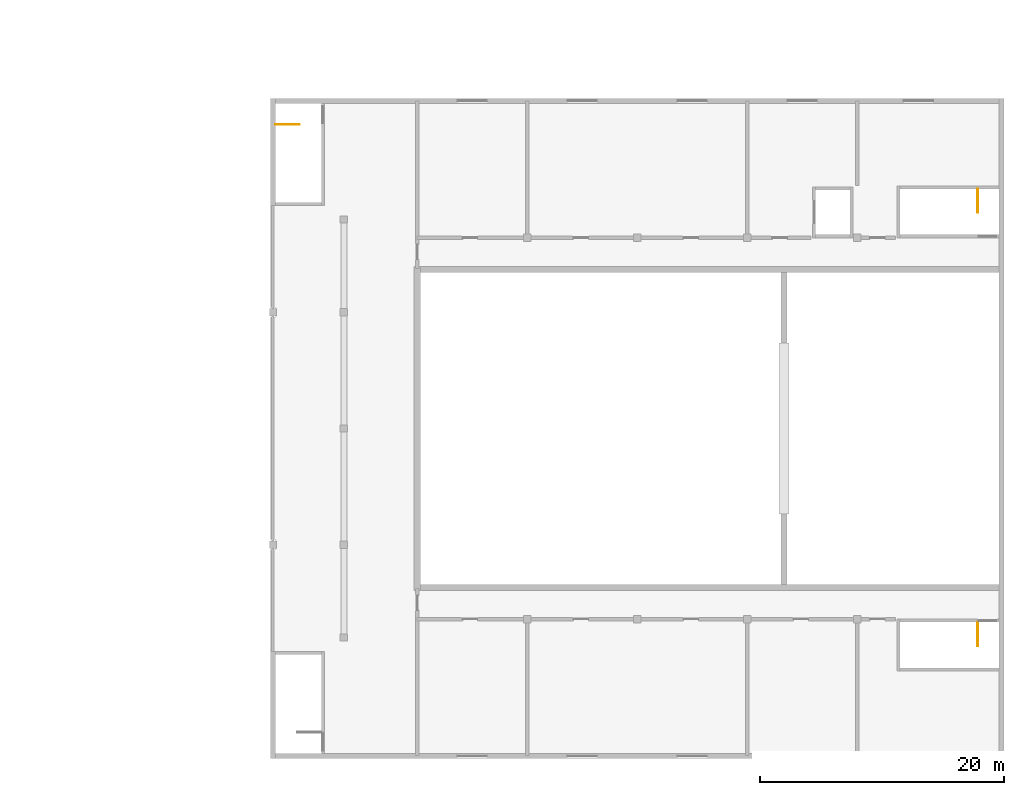
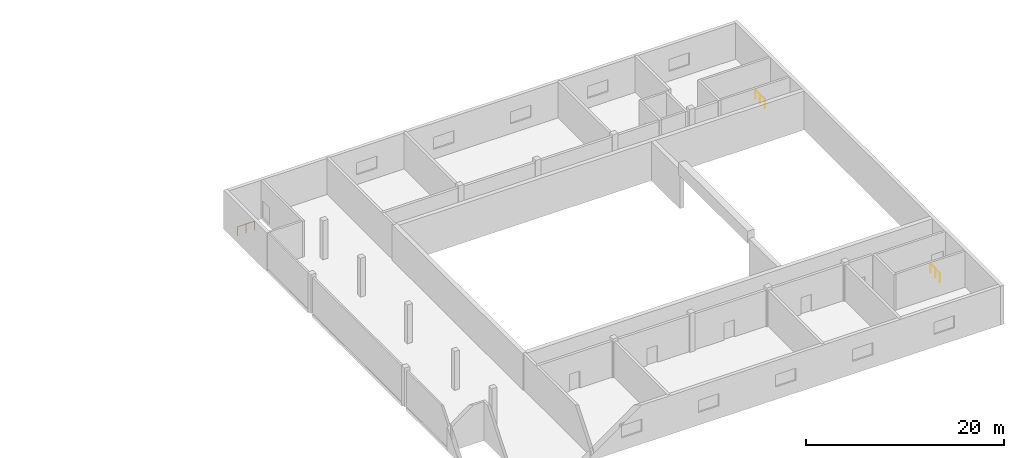
# One storey, part 31 of 31: 3 railings.
"""IFC4 building model written with IfcOpenShell, lengths in metres."""

from ifc_helpers import new_model, si_unit, direction, frame, origin, origin_2d, place, context, subcontext, project, spatial, circle, extrude, material, type_object, element, save


model = new_model("IFC4")

# Units and contexts
model_context = context("Model", 3, precision=1e-05, world=origin(), true_north=direction((0.0, 1.0)))
body_context = subcontext(model_context, "Body", "Model", "MODEL_VIEW")
ifc_project = project(units=[si_unit("LENGTHUNIT", "METRE"), si_unit("AREAUNIT", "SQUARE_METRE"), si_unit("VOLUMEUNIT", "CUBIC_METRE"), si_unit("PLANEANGLEUNIT", "RADIAN"), si_unit("MASSUNIT", "GRAM", prefix="KILO")], contexts=[model_context])

# Site, building, storey
site_placement = place(None, origin())
site = spatial("IfcSite", under=ifc_project, at=site_placement, CompositionType="ELEMENT")
building_placement = place(site_placement, origin())
building = spatial("IfcBuilding", under=site, at=building_placement, Name="Hunhe Ridgeline Campus", CompositionType="ELEMENT")
storey_placement = place(building_placement, frame((0.0, 0.0, 16.800048828125)))
storey = spatial("IfcBuildingStorey", under=building, at=storey_placement, Name="L03", CompositionType="ELEMENT", Elevation=16.800048828125)

# Railings
ifc_material = material(Name="Steel Q235", Category="steel")
railing_type = type_object("IfcRailingType", Name="Hall stair guard 1100", PredefinedType="GUARDRAIL", material=ifc_material)
railing_1_placement = place(storey_placement, frame((150.39990234375, 74.35009765625, 0.0)))
element("IfcRailing", 1, at=railing_1_placement, inside=storey, type_object=railing_type, Name="L03 HS2 top well guard 1", PredefinedType="GUARDRAIL", context=body_context, shape_type="SweptSolid", body=[
    extrude(circle(Radius=0.02392578125, at=origin_2d()), frame((0.0, 0.0, 1.076171875), z_axis=(1.0, 0.0, 0.0), x_axis=(0.0, 1.0, 0.0)), (0.0, 0.0, 1.0), 1.9501953125),
    extrude(circle(Radius=0.02099609375, at=origin_2d()), origin(), (0.0, 0.0, 1.0), 1.052001953125),
    extrude(circle(Radius=0.02099609375, at=origin_2d()), frame((0.97509765625, 0.0, 0.0)), (0.0, 0.0, 1.0), 1.052001953125),
    extrude(circle(Radius=0.02099609375, at=origin_2d()), frame((1.9501953125, 0.0, 0.0)), (0.0, 0.0, 1.0), 1.052001953125),
])
railing_2_placement = place(storey_placement, frame((207.85009765625, 33.64990234375, 0.0)))
element("IfcRailing", 2, at=railing_2_placement, inside=storey, type_object=railing_type, Name="L03 HS3 top well guard 1", PredefinedType="GUARDRAIL", context=body_context, shape_type="SweptSolid", body=[
    extrude(circle(Radius=0.02392578125, at=origin_2d()), frame((0.0, 0.0, 1.076171875), z_axis=(0.0, -1.0, 0.0), x_axis=(1.0, 0.0, 0.0)), (0.0, 0.0, 1.0), 1.949951171875),
    extrude(circle(Radius=0.02099609375, at=origin_2d()), origin(), (0.0, 0.0, 1.0), 1.052001953125),
    extrude(circle(Radius=0.02099609375, at=origin_2d()), frame((0.0, -0.97509765625, 0.0)), (0.0, 0.0, 1.0), 1.052001953125),
    extrude(circle(Radius=0.02099609375, at=origin_2d()), frame((0.0, -1.949951171875, 0.0)), (0.0, 0.0, 1.0), 1.052001953125),
])
railing_3_placement = place(storey_placement, frame((207.85009765625, 69.10009765625, 0.0)))
element("IfcRailing", 3, at=railing_3_placement, inside=storey, type_object=railing_type, Name="L03 HS4 top well guard 1", PredefinedType="GUARDRAIL", context=body_context, shape_type="SweptSolid", body=[
    extrude(circle(Radius=0.02392578125, at=origin_2d()), frame((0.0, 0.0, 1.076171875), z_axis=(0.0, -1.0, 0.0), x_axis=(1.0, 0.0, 0.0)), (0.0, 0.0, 1.0), 1.9501953125),
    extrude(circle(Radius=0.02099609375, at=origin_2d()), origin(), (0.0, 0.0, 1.0), 1.052001953125),
    extrude(circle(Radius=0.02099609375, at=origin_2d()), frame((0.0, -0.97509765625, 0.0)), (0.0, 0.0, 1.0), 1.052001953125),
    extrude(circle(Radius=0.02099609375, at=origin_2d()), frame((0.0, -1.9501953125, 0.0)), (0.0, 0.0, 1.0), 1.052001953125),
])

save(model, "model.ifc")
